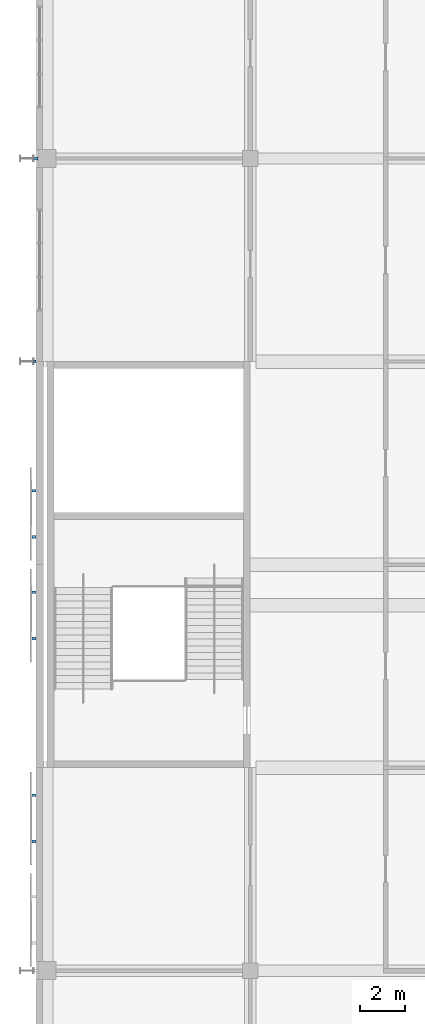
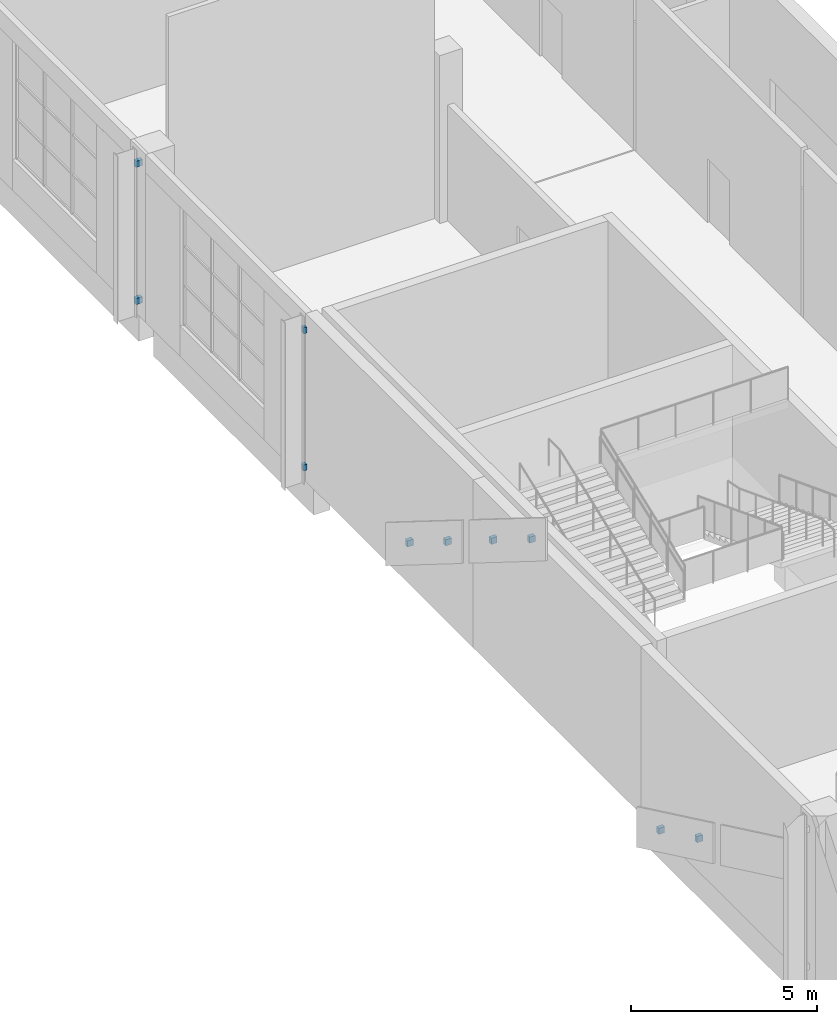
# One storey, part 50 of 84: 10 discrete accessories.
"""IFC4 building model written with IfcOpenShell, lengths in metres."""

from ifc_helpers import new_model, si_unit, direction, frame, origin, origin_2d, place, context, subcontext, project, spatial, rectangle, extrude, material, type_object, element, save


model = new_model("IFC4")

# Units and contexts
model_context = context("Model", 3, precision=1e-05, world=origin(), true_north=direction((0.0, 1.0)))
body_context = subcontext(model_context, "Body", "Model", "MODEL_VIEW")
ifc_project = project(units=[si_unit("LENGTHUNIT", "METRE"), si_unit("AREAUNIT", "SQUARE_METRE"), si_unit("VOLUMEUNIT", "CUBIC_METRE"), si_unit("PLANEANGLEUNIT", "RADIAN"), si_unit("MASSUNIT", "GRAM", prefix="KILO")], contexts=[model_context])

# Site, building, storey
site_placement = place(None, origin())
site = spatial("IfcSite", under=ifc_project, at=site_placement, CompositionType="ELEMENT")
building_placement = place(site_placement, origin())
building = spatial("IfcBuilding", under=site, at=building_placement, Name="Silverbay Arena", CompositionType="ELEMENT")
storey_placement = place(building_placement, frame((0.0, 0.0, 28.0)))
storey = spatial("IfcBuildingStorey", under=building, at=storey_placement, Name="L04", CompositionType="ELEMENT", Elevation=28.0)

# Discrete accessories
ifc_material = material(Name="Steel S355", Category="steel")
discrete_accessory_type = type_object("IfcDiscreteAccessoryType", Name="Steel bracket plate", PredefinedType="BRACKET", material=ifc_material)
for number, where, z_axis, x_axis, name in (
    (1, (53.449951171875, 72.0, 0.39990234375), (0.0, 0.0, 1.0), (1.0, 0.0, 0.0), "Fin bracket"),
    (2, (53.449951171875, 72.0, 4.89990234375), (0.0, 0.0, 1.0), (1.0, 0.0, 0.0), "Fin bracket"),
):
    element("IfcDiscreteAccessory", number, at=place(storey_placement, frame(where, z_axis=z_axis, x_axis=x_axis)), inside=storey, type_object=discrete_accessory_type, Name=name, PredefinedType="BRACKET", context=body_context, shape_type="SweptSolid", body=[
        extrude(rectangle(XDim=0.10009765625, YDim=0.1201171875, at=origin_2d()), origin(), (0.0, 0.0, 1.0), 0.199951171875),
    ])
for number, where, z_axis, x_axis, name in (
    (3, (53.5, 81.0, 0.39990234375), (0.0, 0.0, 1.0), (1.0, 0.0, 0.0), "Fin bracket"),
    (4, (53.5, 81.0, 4.89990234375), (0.0, 0.0, 1.0), (1.0, 0.0, 0.0), "Fin bracket"),
):
    element("IfcDiscreteAccessory", number, at=place(storey_placement, frame(where, z_axis=z_axis, x_axis=x_axis)), inside=storey, type_object=discrete_accessory_type, Name=name, PredefinedType="BRACKET", context=body_context, shape_type="SweptSolid", body=[
        extrude(rectangle(XDim=0.199951171875, YDim=0.1201171875, at=origin_2d()), origin(), (0.0, 0.0, 1.0), 0.199951171875),
    ])
for number, where, z_axis, x_axis, name in (
    (5, (53.409912109375, 50.72509765625, 1.14501953125), (0.0, 0.0, 1.0), (1.0, 0.0, 0.0), "Band bracket"),
    (6, (53.409912109375, 52.77490234375, 0.1708984375), (0.0, 0.0, 1.0), (1.0, 0.0, 0.0), "Band bracket"),
    (7, (53.409912109375, 59.72509765625, 5.50439453125), (0.0, 0.0, 1.0), (1.0, 0.0, 0.0), "Band bracket"),
    (8, (53.409912109375, 61.77490234375, 4.22314453125), (0.0, 0.0, 1.0), (1.0, 0.0, 0.0), "Band bracket"),
    (9, (53.409912109375, 64.22509765625, 2.69189453125), (0.0, 0.0, 1.0), (1.0, 0.0, 0.0), "Band bracket"),
    (10, (53.409912109375, 66.27490234375, 1.41064453125), (0.0, 0.0, 1.0), (1.0, 0.0, 0.0), "Band bracket"),
):
    element("IfcDiscreteAccessory", number, at=place(storey_placement, frame(where, z_axis=z_axis, x_axis=x_axis)), inside=storey, type_object=discrete_accessory_type, Name=name, PredefinedType="BRACKET", context=body_context, shape_type="SweptSolid", body=[
        extrude(rectangle(XDim=0.179931640625, YDim=0.1201171875, at=origin_2d()), origin(), (0.0, 0.0, 1.0), 0.199951171875),
    ])

save(model, "model.ifc")
